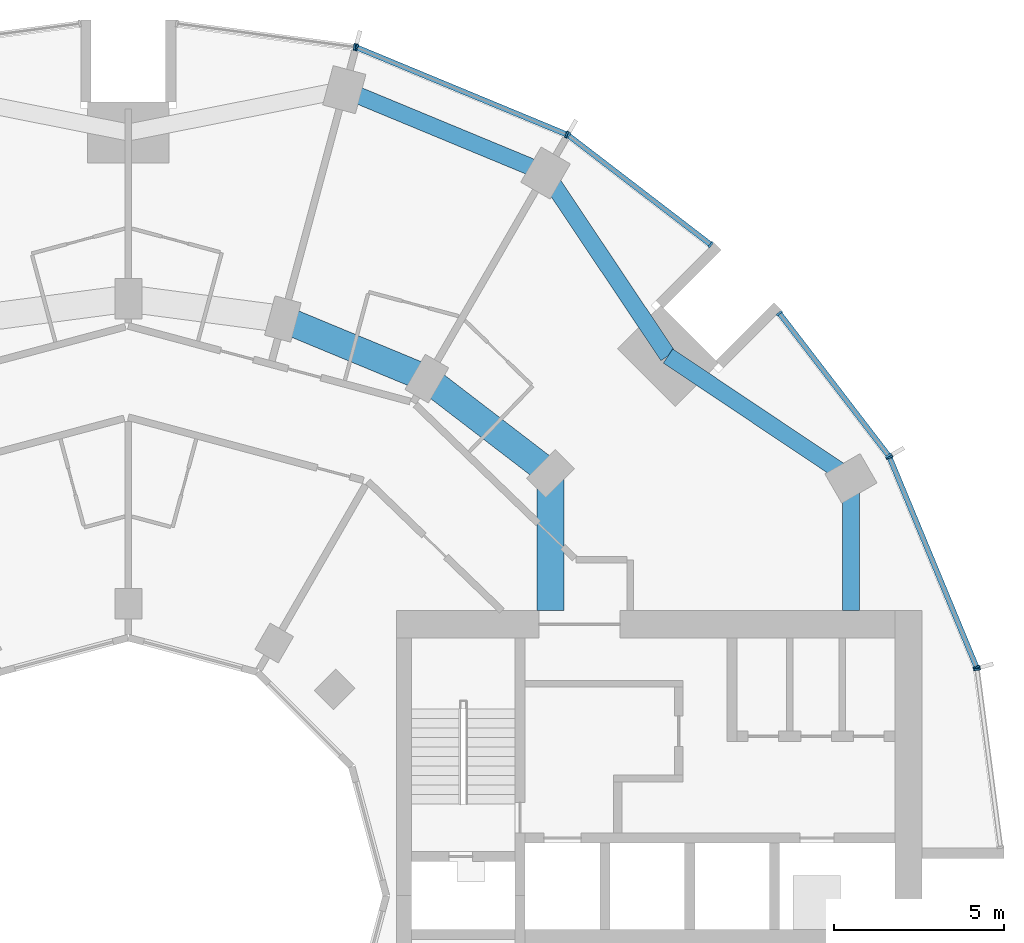
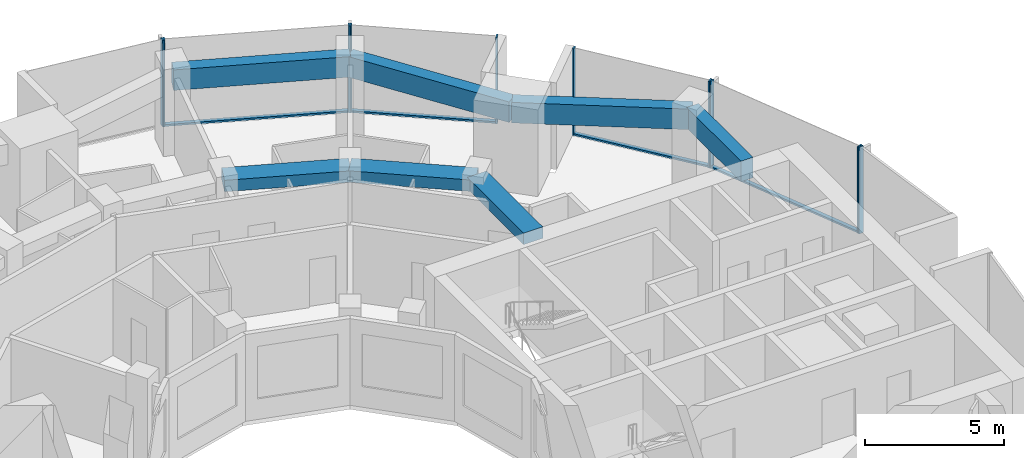
# One storey, part 6 of 15: 14 members, 7 beams, 6 elements without a shape of their own.
"""IFC4 building model written with IfcOpenShell, lengths in metres."""

from ifc_helpers import new_model, si_unit, direction, frame, origin, origin_2d, place, context, subcontext, project, spatial, rectangle, extrude, material, layer, layer_set, material_profile, profile_set, type_object, element, aggregate, save


model = new_model("IFC4")

# Units and contexts
model_context = context("Model", 3, precision=1e-05, world=origin(), true_north=direction((0.0, 1.0)))
body_context = subcontext(model_context, "Body", "Model", "MODEL_VIEW")
ifc_project = project(units=[si_unit("LENGTHUNIT", "METRE"), si_unit("AREAUNIT", "SQUARE_METRE"), si_unit("VOLUMEUNIT", "CUBIC_METRE"), si_unit("PLANEANGLEUNIT", "RADIAN"), si_unit("MASSUNIT", "GRAM", prefix="KILO")], contexts=[model_context])

# Site, building, storey
site_placement = place(None, origin())
site = spatial("IfcSite", under=ifc_project, at=site_placement, CompositionType="ELEMENT")
building_placement = place(site_placement, origin())
building = spatial("IfcBuilding", under=site, at=building_placement, Name="Torre Brocal", CompositionType="ELEMENT")
storey_placement = place(building_placement, frame((0.0, 0.0, 51.60009765625)))
storey = spatial("IfcBuildingStorey", under=building, at=storey_placement, Name="L11", CompositionType="ELEMENT", Elevation=51.60009765625)

# Curtain wall, members
ifc_material_1 = material(Name="Aluminium and glass", Category="aluminium")
ifc_layer_1 = layer(ifc_material_1, 0.199951171875)
ifc_layer_set_1 = layer_set([ifc_layer_1], Name="Aluminium and glass")
curtain_wall_type_1 = type_object("IfcCurtainWallType", Name="CW-1 CURTAIN WALL 3800 HIGH", PredefinedType="NOTDEFINED", material=ifc_layer_set_1)
curtain_wall_1_placement = place(storey_placement, origin())
curtain_wall_1 = element("IfcCurtainWall", 1, at=curtain_wall_1_placement, inside=storey, type_object=curtain_wall_type_1, Name="CW-1 RUN 2", PredefinedType="NOTDEFINED")
ifc_material_2 = material(Name="Aluminium, dark anodised", Category="aluminium")
ifc_material_profile_1 = material_profile(ifc_material_2, rectangle(XDim=0.199951171875, YDim=0.06005859375, at=origin_2d()), Name="CW-1 MULLION 60X200")
ifc_profile_set_1 = profile_set([ifc_material_profile_1], Name="Aluminium, dark anodised")
member_type_1 = type_object("IfcMemberType", Name="CW-1 MULLION 60X200", PredefinedType="MULLION", material=ifc_profile_set_1)
member_1_placement = place(storey_placement, frame((105.005126953125, 81.73095703125, 0.0), z_axis=(0.0, 0.0, 1.0), x_axis=(-0.923879532525, -0.382683432333, 0.0)))
member_1 = element("IfcMember", 2, at=member_1_placement, type_object=member_type_1, Name="CW1-1 mullion 1", PredefinedType="MULLION", context=body_context, shape_type="SweptSolid", body=[
    extrude(rectangle(XDim=0.199951171875, YDim=0.06005859375, at=origin_2d()), origin(), (0.0, 0.0, 1.0), 3.7998046875),
])
member_2_placement = place(storey_placement, frame((102.440673828125, 87.921875, 0.0), z_axis=(0.0, 0.0, 1.0), x_axis=(-0.923879532525, -0.382683432333, 0.0)))
member_2 = element("IfcMember", 3, at=member_2_placement, type_object=member_type_1, Name="CW1-1 mullion 2", PredefinedType="MULLION", context=body_context, shape_type="SweptSolid", body=[
    extrude(rectangle(XDim=0.199951171875, YDim=0.06005859375, at=origin_2d()), origin(), (0.0, 0.0, 1.0), 3.7998046875),
])

curtain_wall_2_placement = place(storey_placement, origin())
curtain_wall_2 = element("IfcCurtainWall", 4, at=curtain_wall_2_placement, inside=storey, type_object=curtain_wall_type_1, Name="CW-1 RUN 3", PredefinedType="NOTDEFINED")
member_3_placement = place(storey_placement, frame((102.4111328125, 87.973388671875, 0.0), z_axis=(0.0, 0.0, 1.0), x_axis=(-0.793353340259, -0.60876142905, 0.0)))
member_3 = element("IfcMember", 5, at=member_3_placement, type_object=member_type_1, Name="CW1-1 mullion 1", PredefinedType="MULLION", context=body_context, shape_type="SweptSolid", body=[
    extrude(rectangle(XDim=0.199951171875, YDim=0.06005859375, at=origin_2d()), origin(), (0.0, 0.0, 1.0), 3.7998046875),
])
member_4_placement = place(storey_placement, frame((99.19140625, 92.16943359375, 0.0), z_axis=(0.0, 0.0, 1.0), x_axis=(-0.793353340259, -0.60876142905, 0.0)))
member_4 = element("IfcMember", 6, at=member_4_placement, type_object=member_type_1, Name="CW1-1 mullion 2", PredefinedType="MULLION", context=body_context, shape_type="SweptSolid", body=[
    extrude(rectangle(XDim=0.199951171875, YDim=0.06005859375, at=origin_2d()), origin(), (0.0, 0.0, 1.0), 3.7998046875),
])

curtain_wall_3_placement = place(storey_placement, origin())
curtain_wall_3 = element("IfcCurtainWall", 7, at=curtain_wall_3_placement, inside=storey, type_object=curtain_wall_type_1, Name="CW-1 RUN 4", PredefinedType="NOTDEFINED")
member_5_placement = place(storey_placement, frame((97.16943359375, 94.19140625, 0.0), z_axis=(0.0, 0.0, 1.0), x_axis=(-0.60876142905, -0.793353340259, 0.0)))
member_5 = element("IfcMember", 8, at=member_5_placement, type_object=member_type_1, Name="CW1-1 mullion 1", PredefinedType="MULLION", context=body_context, shape_type="SweptSolid", body=[
    extrude(rectangle(XDim=0.199951171875, YDim=0.06005859375, at=origin_2d()), origin(), (0.0, 0.0, 1.0), 3.7998046875),
])
member_6_placement = place(storey_placement, frame((92.973388671875, 97.4111328125, 0.0), z_axis=(0.0, 0.0, 1.0), x_axis=(-0.60876142905, -0.793353340259, 0.0)))
member_6 = element("IfcMember", 9, at=member_6_placement, type_object=member_type_1, Name="CW1-1 mullion 2", PredefinedType="MULLION", context=body_context, shape_type="SweptSolid", body=[
    extrude(rectangle(XDim=0.199951171875, YDim=0.06005859375, at=origin_2d()), origin(), (0.0, 0.0, 1.0), 3.7998046875),
])

curtain_wall_4_placement = place(storey_placement, origin())
curtain_wall_4 = element("IfcCurtainWall", 10, at=curtain_wall_4_placement, inside=storey, type_object=curtain_wall_type_1, Name="CW-1 RUN 5", PredefinedType="NOTDEFINED")
member_7_placement = place(storey_placement, frame((92.921875, 97.440673828125, 0.0), z_axis=(0.0, 0.0, 1.0), x_axis=(-0.382683432333, -0.923879532525, 0.0)))
member_7 = element("IfcMember", 11, at=member_7_placement, type_object=member_type_1, Name="CW1-1 mullion 1", PredefinedType="MULLION", context=body_context, shape_type="SweptSolid", body=[
    extrude(rectangle(XDim=0.199951171875, YDim=0.06005859375, at=origin_2d()), origin(), (0.0, 0.0, 1.0), 3.7998046875),
])
member_8_placement = place(storey_placement, frame((86.73095703125, 100.005126953125, 0.0), z_axis=(0.0, 0.0, 1.0), x_axis=(-0.382683432333, -0.923879532525, 0.0)))
member_8 = element("IfcMember", 12, at=member_8_placement, type_object=member_type_1, Name="CW1-1 mullion 2", PredefinedType="MULLION", context=body_context, shape_type="SweptSolid", body=[
    extrude(rectangle(XDim=0.199951171875, YDim=0.06005859375, at=origin_2d()), origin(), (0.0, 0.0, 1.0), 3.7998046875),
])

# Curtain wall, member
curtain_wall_5_placement = place(storey_placement, origin())
curtain_wall_5 = element("IfcCurtainWall", 13, at=curtain_wall_5_placement, inside=storey, type_object=curtain_wall_type_1, Name="CW-1 RUN 6", PredefinedType="NOTDEFINED")
member_9_placement = place(storey_placement, frame((86.67333984375, 100.0205078125, 0.0), z_axis=(0.0, 0.0, 1.0), x_axis=(-0.13052619222, -0.991444861374, 0.0)))
member_9 = element("IfcMember", 14, at=member_9_placement, type_object=member_type_1, Name="CW1-1 mullion 1", PredefinedType="MULLION", context=body_context, shape_type="SweptSolid", body=[
    extrude(rectangle(XDim=0.199951171875, YDim=0.06005859375, at=origin_2d()), origin(), (0.0, 0.0, 1.0), 3.7998046875),
])
aggregate(curtain_wall_5, [member_9])

# Member
ifc_material_3 = material(Name="Aluminium, dark anodised", Category="aluminium")
ifc_material_profile_2 = material_profile(ifc_material_3, rectangle(XDim=0.159912109375, YDim=0.080078125, at=origin_2d()), Name="CW-1 TRANSOM 160X80")
ifc_profile_set_2 = profile_set([ifc_material_profile_2], Name="Aluminium, dark anodised")
member_type_2 = type_object("IfcMemberType", Name="CW-1 TRANSOM 160X80", PredefinedType="USERDEFINED", material=ifc_profile_set_2)
member_10_placement = place(storey_placement, frame((104.99365234375, 81.758544921875, 0.039794921875), z_axis=(-0.38266457234, 0.923887344364, 0.0), x_axis=(-0.923887344364, -0.38266457234, 0.0)))
member_10 = element("IfcMember", 15, at=member_10_placement, type_object=member_type_2, Name="CW1-1 transom 1.1", ObjectType="TRANSOM", PredefinedType="USERDEFINED", context=body_context, shape_type="SweptSolid", body=[
    extrude(rectangle(XDim=0.159912109375, YDim=0.080078125, at=origin_2d()), origin(), (0.0, 0.0, 1.0), 6.640869140625),
])

aggregate(curtain_wall_1, [member_1, member_2, member_10])

member_11_placement = place(storey_placement, frame((102.392822265625, 87.9970703125, 0.039794921875), z_axis=(-0.60874908096, 0.79336281513, 0.0), x_axis=(-0.79336281513, -0.60874908096, 0.0)))
member_11 = element("IfcMember", 16, at=member_11_placement, type_object=member_type_2, Name="CW1-1 transom 1.1", ObjectType="TRANSOM", PredefinedType="USERDEFINED", context=body_context, shape_type="SweptSolid", body=[
    extrude(rectangle(XDim=0.159912109375, YDim=0.080078125, at=origin_2d()), origin(), (0.0, 0.0, 1.0), 5.22900390625),
])

aggregate(curtain_wall_2, [member_3, member_4, member_11])

member_12_placement = place(storey_placement, frame((97.1455078125, 94.209716796875, 0.039794921875), z_axis=(-0.79336281513, 0.60874908096, 0.0), x_axis=(-0.60874908096, -0.79336281513, 0.0)))
member_12 = element("IfcMember", 17, at=member_12_placement, type_object=member_type_2, Name="CW1-1 transom 1.1", ObjectType="TRANSOM", PredefinedType="USERDEFINED", context=body_context, shape_type="SweptSolid", body=[
    extrude(rectangle(XDim=0.159912109375, YDim=0.080078125, at=origin_2d()), origin(), (0.0, 0.0, 1.0), 5.22900390625),
])

aggregate(curtain_wall_3, [member_5, member_6, member_12])

member_13_placement = place(storey_placement, frame((92.89404296875, 97.452392578125, 0.039794921875), z_axis=(-0.923887344364, 0.38266457234, 0.0), x_axis=(-0.38266457234, -0.923887344364, 0.0)))
member_13 = element("IfcMember", 18, at=member_13_placement, type_object=member_type_2, Name="CW1-1 transom 1.1", ObjectType="TRANSOM", PredefinedType="USERDEFINED", context=body_context, shape_type="SweptSolid", body=[
    extrude(rectangle(XDim=0.159912109375, YDim=0.080078125, at=origin_2d()), origin(), (0.0, 0.0, 1.0), 6.640869140625),
])

aggregate(curtain_wall_4, [member_7, member_8, member_13])

# Curtain wall, member
ifc_material_4 = material(Name="Aluminium and glass", Category="aluminium")
ifc_layer_2 = layer(ifc_material_4, 0.199951171875)
ifc_layer_set_2 = layer_set([ifc_layer_2], Name="Aluminium and glass")
curtain_wall_type_2 = type_object("IfcCurtainWallType", Name="CW-1B CURTAIN WALL 3800 HIGH", PredefinedType="NOTDEFINED", material=ifc_layer_set_2)
curtain_wall_6_placement = place(storey_placement, origin())
curtain_wall_6 = element("IfcCurtainWall", 19, at=curtain_wall_6_placement, inside=storey, type_object=curtain_wall_type_2, Name="CW-1B RUN 1", PredefinedType="NOTDEFINED")
ifc_material_5 = material(Name="Aluminium, dark anodised", Category="aluminium")
ifc_material_profile_3 = material_profile(ifc_material_5, rectangle(XDim=0.199951171875, YDim=0.06005859375, at=origin_2d()), Name="CW-1B MULLION 60X200")
ifc_profile_set_3 = profile_set([ifc_material_profile_3], Name="Aluminium, dark anodised")
member_type_3 = type_object("IfcMemberType", Name="CW-1B MULLION 60X200", PredefinedType="MULLION", material=ifc_profile_set_3)
member_14_placement = place(storey_placement, frame((105.0205078125, 81.67333984375, 0.0), z_axis=(0.0, 0.0, 1.0), x_axis=(-0.991444861374, -0.13052619222, 0.0)))
member_14 = element("IfcMember", 20, at=member_14_placement, type_object=member_type_3, Name="CW1B-1 mullion 2", PredefinedType="MULLION", context=body_context, shape_type="SweptSolid", body=[
    extrude(rectangle(XDim=0.199951171875, YDim=0.06005859375, at=origin_2d()), origin(), (0.0, 0.0, 1.0), 3.7998046875),
])
aggregate(curtain_wall_6, [member_14])

# Beams
ifc_material_6 = material(Name="Concrete C50", Category="concrete")
ifc_material_profile_4 = material_profile(ifc_material_6, rectangle(XDim=0.800048828125, YDim=0.5, at=origin_2d()), Name="RC 800X500")
ifc_profile_set_4 = profile_set([ifc_material_profile_4], Name="Concrete C50")
beam_type_1 = type_object("IfcBeamType", Name="RC BEAM 800X500 C50 TOP 3480", PredefinedType="BEAM", material=ifc_profile_set_4)
beam_1_placement = place(storey_placement, frame((92.445068359375, 87.445068359375, 3.22998046875), z_axis=(-0.793358265959, 0.6087550097, 0.0), x_axis=(-0.6087550097, -0.793358265959, 0.0)))
element("IfcBeam", 21, at=beam_1_placement, inside=storey, type_object=beam_type_1, Name="Beam BT-19", PredefinedType="BEAM", context=body_context, shape_type="SweptSolid", body=[
    extrude(rectangle(XDim=0.800048828125, YDim=0.5, at=origin_2d()), origin(), (0.0, 0.0, 1.0), 4.594482421875),
])
beam_2_placement = place(storey_placement, frame((88.800048828125, 90.241943359375, 3.22998046875), z_axis=(-0.923878240166, 0.382686552348, 0.0), x_axis=(-0.382686552348, -0.923878240166, 0.0)))
element("IfcBeam", 22, at=beam_2_placement, inside=storey, type_object=beam_type_1, Name="Beam BT-19", PredefinedType="BEAM", context=body_context, shape_type="SweptSolid", body=[
    extrude(rectangle(XDim=0.800048828125, YDim=0.5, at=origin_2d()), origin(), (0.0, 0.0, 1.0), 4.5947265625),
])
beam_3_placement = place(storey_placement, frame((92.445068359375, 87.445068359375, 3.22998046875), z_axis=(0.0, -1.0, 0.0), x_axis=(1.0, 0.0, 0.0)))
element("IfcBeam", 23, at=beam_3_placement, inside=storey, type_object=beam_type_1, Name="Beam BT-19", PredefinedType="BEAM", context=body_context, shape_type="SweptSolid", body=[
    extrude(rectangle(XDim=0.800048828125, YDim=0.5, at=origin_2d()), origin(), (0.0, 0.0, 1.0), 4.045166015625),
])
ifc_material_7 = material(Name="Concrete C50", Category="concrete")
ifc_material_profile_5 = material_profile(ifc_material_7, rectangle(XDim=0.5, YDim=0.89990234375, at=origin_2d()), Name="RC 500X900")
ifc_profile_set_5 = profile_set([ifc_material_profile_5], Name="Concrete C50")
beam_type_2 = type_object("IfcBeamType", Name="RC SPANDREL BEAM 500X900 C50 TOP 3480", PredefinedType="SPANDREL", material=ifc_profile_set_5)
for number, where, z_axis, x_axis, name in (
    (24, (101.30419921875, 87.300048828125, 3.02978515625), (-0.831076844476, 0.556157602282, 0.0), (-0.556157602282, -0.831076844476, 0.0), "Beam BT-20"),
    (25, (95.909912109375, 90.909912109375, 3.02978515625), (-0.556157602282, 0.831076844476, 0.0), (-0.831076844476, -0.556157602282, 0.0), "Beam BT-20"),
):
    element("IfcBeam", number, at=place(storey_placement, frame(where, z_axis=z_axis, x_axis=x_axis)), inside=storey, type_object=beam_type_2, Name=name, PredefinedType="SPANDREL", context=body_context, shape_type="SweptSolid", body=[
        extrude(rectangle(XDim=0.5, YDim=0.89990234375, at=origin_2d()), origin(), (0.0, 0.0, 1.0), 6.49072265625),
    ])
beam_4_placement = place(storey_placement, frame((92.300048828125, 96.30419921875, 3.02978515625), z_axis=(-0.923882462513, 0.382676358639, 0.0), x_axis=(-0.382676358639, -0.923882462513, 0.0)))
element("IfcBeam", 26, at=beam_4_placement, inside=storey, type_object=beam_type_2, Name="Beam BT-20", PredefinedType="SPANDREL", context=body_context, shape_type="SweptSolid", body=[
    extrude(rectangle(XDim=0.5, YDim=0.89990234375, at=origin_2d()), origin(), (0.0, 0.0, 1.0), 6.421875),
])
beam_5_placement = place(storey_placement, frame((101.30419921875, 87.300048828125, 3.02978515625), z_axis=(0.0, -1.0, 0.0), x_axis=(1.0, 0.0, 0.0)))
element("IfcBeam", 27, at=beam_5_placement, inside=storey, type_object=beam_type_2, Name="Beam BT-20", PredefinedType="SPANDREL", context=body_context, shape_type="SweptSolid", body=[
    extrude(rectangle(XDim=0.5, YDim=0.89990234375, at=origin_2d()), origin(), (0.0, 0.0, 1.0), 3.900146484375),
])

save(model, "model.ifc")
